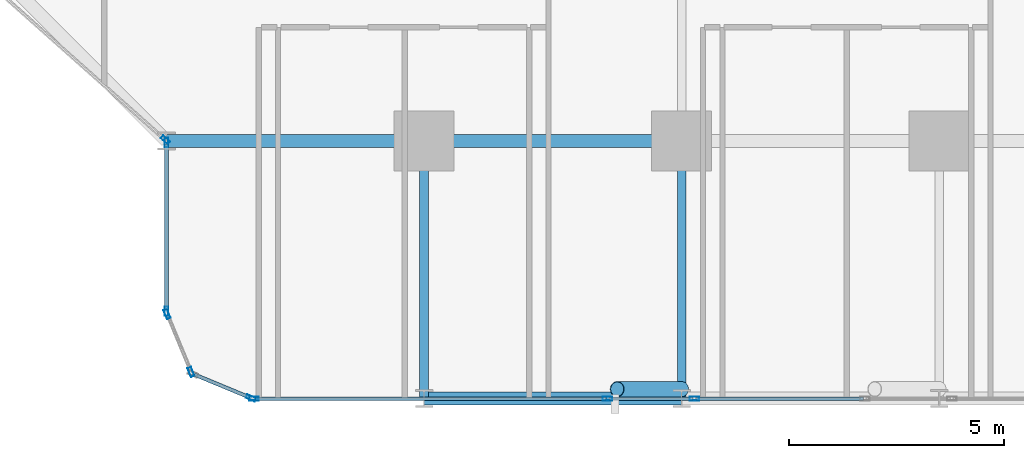
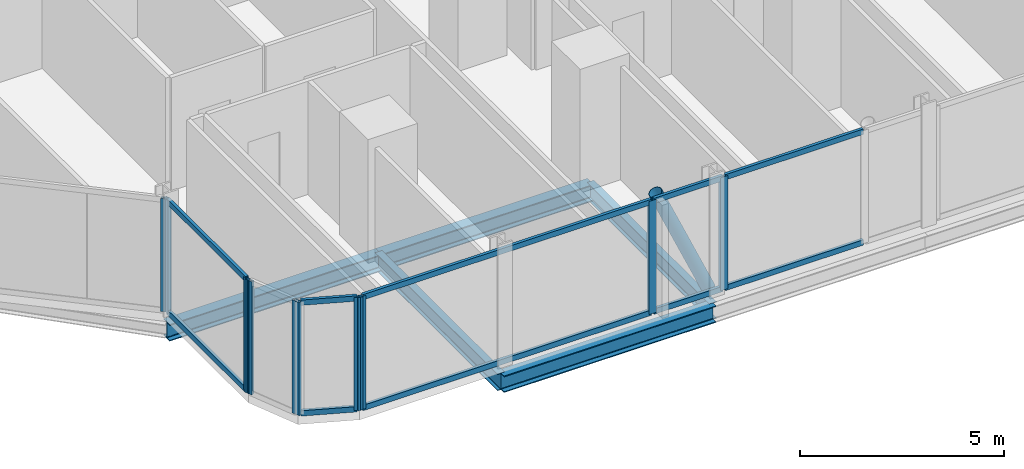
# One storey, part 3 of 34: 20 members, 5 beams, 7 elements without a shape of their own.
"""IFC4 building model written with IfcOpenShell, lengths in metres."""

from ifc_helpers import new_model, si_unit, direction, frame, origin, origin_2d, place, context, subcontext, project, spatial, hollow_rectangle, hollow_circle, i_section, extrude, material, layer, layer_set, material_profile, profile_set, type_object, element, aggregate, save


model = new_model("IFC4")

# Units and contexts
model_context = context("Model", 3, precision=1e-05, world=origin(), true_north=direction((0.0, 1.0)))
body_context = subcontext(model_context, "Body", "Model", "MODEL_VIEW")
ifc_project = project(units=[si_unit("LENGTHUNIT", "METRE"), si_unit("AREAUNIT", "SQUARE_METRE"), si_unit("VOLUMEUNIT", "CUBIC_METRE"), si_unit("PLANEANGLEUNIT", "RADIAN"), si_unit("MASSUNIT", "GRAM", prefix="KILO")], contexts=[model_context])

# Site, building, storey
site_placement = place(None, origin())
site = spatial("IfcSite", under=ifc_project, at=site_placement, CompositionType="ELEMENT")
building_placement = place(site_placement, origin())
building = spatial("IfcBuilding", under=site, at=building_placement, Name="Keshet Zoharim Tower", CompositionType="ELEMENT")
storey_placement = place(building_placement, frame((0.0, 0.0, 31.39990234375)))
storey = spatial("IfcBuildingStorey", under=building, at=storey_placement, Name="L06", CompositionType="ELEMENT", Elevation=31.39990234375)

# Beams
ifc_material_1 = material(Name="Steel S355", Category="steel")
ifc_material_profile_1 = material_profile(ifc_material_1, i_section(OverallWidth=0.199951171875, OverallDepth=0.5, WebThickness=0.01025390625, FlangeThickness=0.01611328125, FilletRadius=0.02099609375, at=origin_2d()), Name="IPE500")
ifc_profile_set_1 = profile_set([ifc_material_profile_1], Name="Steel S355")
beam_type_1 = type_object("IfcBeamType", Name="BM-PRI-IP500", PredefinedType="BEAM", material=ifc_profile_set_1)
for number, where, z_axis, x_axis, name in (
    (1, (27.0, 0.699951171875, -0.56494140625), (0.0, 1.0, 0.0), (-1.0, 0.0, 0.0), "L06 Primary Girder Y-004"),
    (2, (33.0, 0.699951171875, -0.56494140625), (0.0, 1.0, 0.0), (-1.0, 0.0, 0.0), "L06 Primary Girder Y-005"),
):
    element("IfcBeam", number, at=place(storey_placement, frame(where, z_axis=z_axis, x_axis=x_axis)), inside=storey, type_object=beam_type_1, Name=name, PredefinedType="BEAM", context=body_context, shape_type="SweptSolid", body=[
        extrude(i_section(OverallWidth=0.199951171875, OverallDepth=0.5, WebThickness=0.01025390625, FlangeThickness=0.01611328125, FilletRadius=0.02099609375, at=origin_2d()), origin(), (0.0, 0.0, 1.0), 6.0),
    ])
ifc_material_profile_2 = material_profile(ifc_material_1, i_section(OverallWidth=0.300048828125, OverallDepth=0.5, WebThickness=0.014404296875, FlangeThickness=0.028076171875, FilletRadius=0.027099609375, at=origin_2d()), Name="HEB500")
ifc_profile_set_2 = profile_set([ifc_material_profile_2], Name="Steel S355")
beam_type_2 = type_object("IfcBeamType", Name="BM-WEB-HB500", PredefinedType="BEAM", material=ifc_profile_set_2)
for number, where, z_axis, x_axis, name in (
    (3, (27.0, 0.699951171875, -0.56494140625), (1.0, 0.0, 0.0), (0.0, 1.0, 0.0), "L06 Primary Girder X-001"),
    (4, (21.0, 6.699951171875, -0.56494140625), (1.0, 0.0, 0.0), (0.0, 1.0, 0.0), "L06 Primary Girder X-006"),
    (5, (27.0, 6.699951171875, -0.56494140625), (1.0, 0.0, 0.0), (0.0, 1.0, 0.0), "L06 Primary Girder X-007"),
):
    element("IfcBeam", number, at=place(storey_placement, frame(where, z_axis=z_axis, x_axis=x_axis)), inside=storey, type_object=beam_type_2, Name=name, PredefinedType="BEAM", context=body_context, shape_type="SweptSolid", body=[
        extrude(i_section(OverallWidth=0.300048828125, OverallDepth=0.5, WebThickness=0.014404296875, FlangeThickness=0.028076171875, FilletRadius=0.027099609375, at=origin_2d()), origin(), (0.0, 0.0, 1.0), 6.0),
    ])

# Curtain wall, member
ifc_material_2 = material(Name="Aluminium 6063-T6", Category="aluminium")
ifc_layer = layer(ifc_material_2, 0.179931640625)
ifc_layer_set = layer_set([ifc_layer], Name="Aluminium 6063-T6")
curtain_wall_type = type_object("IfcCurtainWallType", Name="CW-SYS-01", PredefinedType="NOTDEFINED", material=ifc_layer_set)
curtain_wall_1_placement = place(storey_placement, origin())
curtain_wall_1 = element("IfcCurtainWall", 6, at=curtain_wall_1_placement, inside=storey, type_object=curtain_wall_type, Name="L06 Unitised Curtain Wall 01", PredefinedType="NOTDEFINED")
ifc_material_profile_3 = material_profile(ifc_material_2, hollow_rectangle(XDim=0.090087890625, YDim=0.219970703125, WallThickness=0.0048828125, at=origin_2d()), Name="MUL-90x220")
ifc_profile_set_3 = profile_set([ifc_material_profile_3], Name="Aluminium 6063-T6")
member_type_1 = type_object("IfcMemberType", Name="CWM-M22", PredefinedType="MULLION", material=ifc_profile_set_3)
member_1_placement = place(storey_placement, frame((20.973876953125, 6.72314453125, 0.0), z_axis=(0.0, 0.0, 1.0), x_axis=(-0.664363838836, -0.747409318679, 0.0)))
member_1 = element("IfcMember", 7, at=member_1_placement, type_object=member_type_1, Name="CW-01 mullion 1", PredefinedType="MULLION", context=body_context, shape_type="SweptSolid", body=[
    extrude(hollow_rectangle(XDim=0.090087890625, YDim=0.219970703125, WallThickness=0.0048828125, at=origin_2d()), origin(), (0.0, 0.0, 1.0), 3.385009765625),
])
aggregate(curtain_wall_1, [member_1])

curtain_wall_2_placement = place(storey_placement, origin())
curtain_wall_2 = element("IfcCurtainWall", 8, at=curtain_wall_2_placement, inside=storey, type_object=curtain_wall_type, Name="L06 Unitised Curtain Wall 26 Part 3", PredefinedType="NOTDEFINED")
member_2_placement = place(storey_placement, frame((33.297607421875, 0.699951171875, 0.0), z_axis=(0.0, 0.0, 1.0), x_axis=(0.0, -1.0, 0.0)))
member_2 = element("IfcMember", 9, at=member_2_placement, type_object=member_type_1, Name="CW-01 mullion 2", PredefinedType="MULLION", context=body_context, shape_type="SweptSolid", body=[
    extrude(hollow_rectangle(XDim=0.090087890625, YDim=0.219970703125, WallThickness=0.0048828125, at=origin_2d()), origin(), (0.0, 0.0, 1.0), 3.385009765625),
])

curtain_wall_3_placement = place(storey_placement, origin())
curtain_wall_3 = element("IfcCurtainWall", 10, at=curtain_wall_3_placement, inside=storey, type_object=curtain_wall_type, Name="L06 Unitised Curtain Wall 26 Part 4", PredefinedType="NOTDEFINED")
member_3_placement = place(storey_placement, frame((31.2724609375, 0.699951171875, 0.0), z_axis=(0.0, 0.0, 1.0), x_axis=(0.0, -1.0, 0.0)))
member_3 = element("IfcMember", 11, at=member_3_placement, type_object=member_type_1, Name="CW-01 mullion 2", PredefinedType="MULLION", context=body_context, shape_type="SweptSolid", body=[
    extrude(hollow_rectangle(XDim=0.090087890625, YDim=0.219970703125, WallThickness=0.0048828125, at=origin_2d()), origin(), (0.0, 0.0, 1.0), 3.385009765625),
])

curtain_wall_4_placement = place(storey_placement, origin())
curtain_wall_4 = element("IfcCurtainWall", 12, at=curtain_wall_4_placement, inside=storey, type_object=curtain_wall_type, Name="L06 Unitised Curtain Wall 26 Part 5", PredefinedType="NOTDEFINED")
member_4_placement = place(storey_placement, frame((23.034912109375, 0.699951171875, 0.0), z_axis=(0.0, 0.0, 1.0), x_axis=(0.0, -1.0, 0.0)))
member_4 = element("IfcMember", 13, at=member_4_placement, type_object=member_type_1, Name="CW-01 mullion 2", PredefinedType="MULLION", context=body_context, shape_type="SweptSolid", body=[
    extrude(hollow_rectangle(XDim=0.090087890625, YDim=0.219970703125, WallThickness=0.0048828125, at=origin_2d()), origin(), (0.0, 0.0, 1.0), 3.385009765625),
])

curtain_wall_5_placement = place(storey_placement, origin())
curtain_wall_5 = element("IfcCurtainWall", 14, at=curtain_wall_5_placement, inside=storey, type_object=curtain_wall_type, Name="L06 Unitised Curtain Wall 27", PredefinedType="NOTDEFINED")
member_5_placement = place(storey_placement, frame((22.9677734375, 0.71337890625, 0.0), z_axis=(0.0, 0.0, 1.0), x_axis=(-0.382851849847, -0.92380975372, 0.0)))
member_5 = element("IfcMember", 15, at=member_5_placement, type_object=member_type_1, Name="CW-01 mullion 1", PredefinedType="MULLION", context=body_context, shape_type="SweptSolid", body=[
    extrude(hollow_rectangle(XDim=0.090087890625, YDim=0.219970703125, WallThickness=0.0048828125, at=origin_2d()), origin(), (0.0, 0.0, 1.0), 3.385009765625),
])

# Curtain wall, members
curtain_wall_6_placement = place(storey_placement, origin())
curtain_wall_6 = element("IfcCurtainWall", 16, at=curtain_wall_6_placement, inside=storey, type_object=curtain_wall_type, Name="L06 Unitised Curtain Wall 28", PredefinedType="NOTDEFINED")
member_6_placement = place(storey_placement, frame((21.572509765625, 1.318359375, 0.0), z_axis=(0.0, 0.0, 1.0), x_axis=(-0.92380975372, -0.382851849847, 0.0)))
member_6 = element("IfcMember", 17, at=member_6_placement, type_object=member_type_1, Name="CW-01 mullion 1", PredefinedType="MULLION", context=body_context, shape_type="SweptSolid", body=[
    extrude(hollow_rectangle(XDim=0.090087890625, YDim=0.219970703125, WallThickness=0.0048828125, at=origin_2d()), origin(), (0.0, 0.0, 1.0), 3.385009765625),
])
member_7_placement = place(storey_placement, frame((21.013427734375, 2.667724609375, 0.0), z_axis=(0.0, 0.0, 1.0), x_axis=(-0.92380975372, -0.382851849847, 0.0)))
member_7 = element("IfcMember", 18, at=member_7_placement, type_object=member_type_1, Name="CW-01 mullion 2", PredefinedType="MULLION", context=body_context, shape_type="SweptSolid", body=[
    extrude(hollow_rectangle(XDim=0.090087890625, YDim=0.219970703125, WallThickness=0.0048828125, at=origin_2d()), origin(), (0.0, 0.0, 1.0), 3.385009765625),
])
aggregate(curtain_wall_6, [member_6, member_7])

curtain_wall_7_placement = place(storey_placement, origin())
curtain_wall_7 = element("IfcCurtainWall", 19, at=curtain_wall_7_placement, inside=storey, type_object=curtain_wall_type, Name="L06 Unitised Curtain Wall 29", PredefinedType="NOTDEFINED")
member_8_placement = place(storey_placement, frame((21.0, 2.735107421875, 0.0), z_axis=(0.0, 0.0, 1.0), x_axis=(-1.0, 0.0, 0.0)))
member_8 = element("IfcMember", 20, at=member_8_placement, type_object=member_type_1, Name="CW-01 mullion 1", PredefinedType="MULLION", context=body_context, shape_type="SweptSolid", body=[
    extrude(hollow_rectangle(XDim=0.090087890625, YDim=0.219970703125, WallThickness=0.0048828125, at=origin_2d()), origin(), (0.0, 0.0, 1.0), 3.385009765625),
])
member_9_placement = place(storey_placement, frame((21.0, 6.6650390625, 0.0), z_axis=(0.0, 0.0, 1.0), x_axis=(-1.0, 0.0, 0.0)))
member_9 = element("IfcMember", 21, at=member_9_placement, type_object=member_type_1, Name="CW-01 mullion 2", PredefinedType="MULLION", context=body_context, shape_type="SweptSolid", body=[
    extrude(hollow_rectangle(XDim=0.090087890625, YDim=0.219970703125, WallThickness=0.0048828125, at=origin_2d()), origin(), (0.0, 0.0, 1.0), 3.385009765625),
])

# Member
ifc_material_profile_4 = material_profile(ifc_material_2, hollow_rectangle(XDim=0.0849609375, YDim=0.159912109375, WallThickness=0.00439453125, at=origin_2d()), Name="TRN-85x160")
ifc_profile_set_4 = profile_set([ifc_material_profile_4], Name="Aluminium 6063-T6")
member_type_2 = type_object("IfcMemberType", Name="CWT-T16", PredefinedType="USERDEFINED", material=ifc_profile_set_4)
member_10_placement = place(storey_placement, frame((37.2373046875, 0.699951171875, 0.03515625), z_axis=(-1.0, 0.0, 0.0), x_axis=(0.0, -1.0, 0.0)))
member_10 = element("IfcMember", 22, at=member_10_placement, type_object=member_type_2, Name="CW-01 transom 1.1", ObjectType="TRANSOM", PredefinedType="USERDEFINED", context=body_context, shape_type="SweptSolid", body=[
    extrude(hollow_rectangle(XDim=0.0849609375, YDim=0.159912109375, WallThickness=0.00439453125, at=origin_2d()), origin(), (0.0, 0.0, 1.0), 3.90478515625),
])

member_11_placement = place(storey_placement, frame((37.2373046875, 0.699951171875, 3.35009765625), z_axis=(-1.0, 0.0, 0.0), x_axis=(0.0, -1.0, 0.0)))
member_11 = element("IfcMember", 23, at=member_11_placement, type_object=member_type_2, Name="CW-01 transom 1.2", ObjectType="TRANSOM", PredefinedType="USERDEFINED", context=body_context, shape_type="SweptSolid", body=[
    extrude(hollow_rectangle(XDim=0.0849609375, YDim=0.159912109375, WallThickness=0.00439453125, at=origin_2d()), origin(), (0.0, 0.0, 1.0), 3.90478515625),
])

aggregate(curtain_wall_2, [member_2, member_10, member_11])

member_12_placement = place(storey_placement, frame((33.2626953125, 0.699951171875, 0.03515625), z_axis=(-1.0, 0.0, 0.0), x_axis=(0.0, -1.0, 0.0)))
member_12 = element("IfcMember", 24, at=member_12_placement, type_object=member_type_2, Name="CW-01 transom 1.1", ObjectType="TRANSOM", PredefinedType="USERDEFINED", context=body_context, shape_type="SweptSolid", body=[
    extrude(hollow_rectangle(XDim=0.0849609375, YDim=0.159912109375, WallThickness=0.00439453125, at=origin_2d()), origin(), (0.0, 0.0, 1.0), 1.955322265625),
])

member_13_placement = place(storey_placement, frame((33.2626953125, 0.699951171875, 3.35009765625), z_axis=(-1.0, 0.0, 0.0), x_axis=(0.0, -1.0, 0.0)))
member_13 = element("IfcMember", 25, at=member_13_placement, type_object=member_type_2, Name="CW-01 transom 1.2", ObjectType="TRANSOM", PredefinedType="USERDEFINED", context=body_context, shape_type="SweptSolid", body=[
    extrude(hollow_rectangle(XDim=0.0849609375, YDim=0.159912109375, WallThickness=0.00439453125, at=origin_2d()), origin(), (0.0, 0.0, 1.0), 1.955322265625),
])

aggregate(curtain_wall_3, [member_3, member_12, member_13])

member_14_placement = place(storey_placement, frame((31.2373046875, 0.699951171875, 0.03515625), z_axis=(-1.0, 0.0, 0.0), x_axis=(0.0, -1.0, 0.0)))
member_14 = element("IfcMember", 26, at=member_14_placement, type_object=member_type_2, Name="CW-01 transom 1.1", ObjectType="TRANSOM", PredefinedType="USERDEFINED", context=body_context, shape_type="SweptSolid", body=[
    extrude(hollow_rectangle(XDim=0.0849609375, YDim=0.159912109375, WallThickness=0.00439453125, at=origin_2d()), origin(), (0.0, 0.0, 1.0), 8.167236328125),
])

member_15_placement = place(storey_placement, frame((31.2373046875, 0.699951171875, 3.35009765625), z_axis=(-1.0, 0.0, 0.0), x_axis=(0.0, -1.0, 0.0)))
member_15 = element("IfcMember", 27, at=member_15_placement, type_object=member_type_2, Name="CW-01 transom 1.2", ObjectType="TRANSOM", PredefinedType="USERDEFINED", context=body_context, shape_type="SweptSolid", body=[
    extrude(hollow_rectangle(XDim=0.0849609375, YDim=0.159912109375, WallThickness=0.00439453125, at=origin_2d()), origin(), (0.0, 0.0, 1.0), 8.167236328125),
])

aggregate(curtain_wall_4, [member_4, member_14, member_15])

member_16_placement = place(storey_placement, frame((22.935302734375, 0.726806640625, 0.03515625), z_axis=(-0.92379209995, 0.382894445076, 0.0), x_axis=(-0.382894445076, -0.92379209995, 0.0)))
member_16 = element("IfcMember", 28, at=member_16_placement, type_object=member_type_2, Name="CW-01 transom 1.1", ObjectType="TRANSOM", PredefinedType="USERDEFINED", context=body_context, shape_type="SweptSolid", body=[
    extrude(hollow_rectangle(XDim=0.0849609375, YDim=0.159912109375, WallThickness=0.00439453125, at=origin_2d()), origin(), (0.0, 0.0, 1.0), 1.390625),
])

member_17_placement = place(storey_placement, frame((22.935302734375, 0.726806640625, 3.35009765625), z_axis=(-0.92379209995, 0.382894445076, 0.0), x_axis=(-0.382894445076, -0.92379209995, 0.0)))
member_17 = element("IfcMember", 29, at=member_17_placement, type_object=member_type_2, Name="CW-01 transom 1.2", ObjectType="TRANSOM", PredefinedType="USERDEFINED", context=body_context, shape_type="SweptSolid", body=[
    extrude(hollow_rectangle(XDim=0.0849609375, YDim=0.159912109375, WallThickness=0.00439453125, at=origin_2d()), origin(), (0.0, 0.0, 1.0), 1.390625),
])

aggregate(curtain_wall_5, [member_5, member_16, member_17])

member_18_placement = place(storey_placement, frame((21.0, 2.77001953125, 0.03515625), z_axis=(0.0, 1.0, 0.0), x_axis=(-1.0, 0.0, 0.0)))
member_18 = element("IfcMember", 30, at=member_18_placement, type_object=member_type_2, Name="CW-01 transom 1.1", ObjectType="TRANSOM", PredefinedType="USERDEFINED", context=body_context, shape_type="SweptSolid", body=[
    extrude(hollow_rectangle(XDim=0.0849609375, YDim=0.159912109375, WallThickness=0.00439453125, at=origin_2d()), origin(), (0.0, 0.0, 1.0), 3.85986328125),
])

member_19_placement = place(storey_placement, frame((21.0, 2.77001953125, 3.35009765625), z_axis=(0.0, 1.0, 0.0), x_axis=(-1.0, 0.0, 0.0)))
member_19 = element("IfcMember", 31, at=member_19_placement, type_object=member_type_2, Name="CW-01 transom 1.2", ObjectType="TRANSOM", PredefinedType="USERDEFINED", context=body_context, shape_type="SweptSolid", body=[
    extrude(hollow_rectangle(XDim=0.0849609375, YDim=0.159912109375, WallThickness=0.00439453125, at=origin_2d()), origin(), (0.0, 0.0, 1.0), 3.85986328125),
])

aggregate(curtain_wall_7, [member_8, member_9, member_18, member_19])

ifc_material_profile_5 = material_profile(ifc_material_1, hollow_circle(Radius=0.177734375, WallThickness=0.012451171875, at=origin_2d()), Name="CHS355x12.5")
ifc_profile_set_5 = profile_set([ifc_material_profile_5], Name="Steel S355")
member_type_3 = type_object("IfcMemberType", Name="MB-BR-C355", PredefinedType="BRACE", material=ifc_profile_set_5)
member_20_placement = place(storey_placement, frame((33.0, 0.919921875, 0.0), z_axis=(-0.405134846829, 0.0, 0.91425694194), x_axis=(0.0, -1.0, 0.0)))
element("IfcMember", 32, at=member_20_placement, inside=storey, type_object=member_type_3, Name="L06 Perimeter Tube Brace 02", PredefinedType="BRACE", context=body_context, shape_type="SweptSolid", body=[
    extrude(hollow_circle(Radius=0.177734375, WallThickness=0.012451171875, at=origin_2d()), origin(), (0.0, 0.0, 1.0), 3.702392578125),
])

save(model, "model.ifc")
